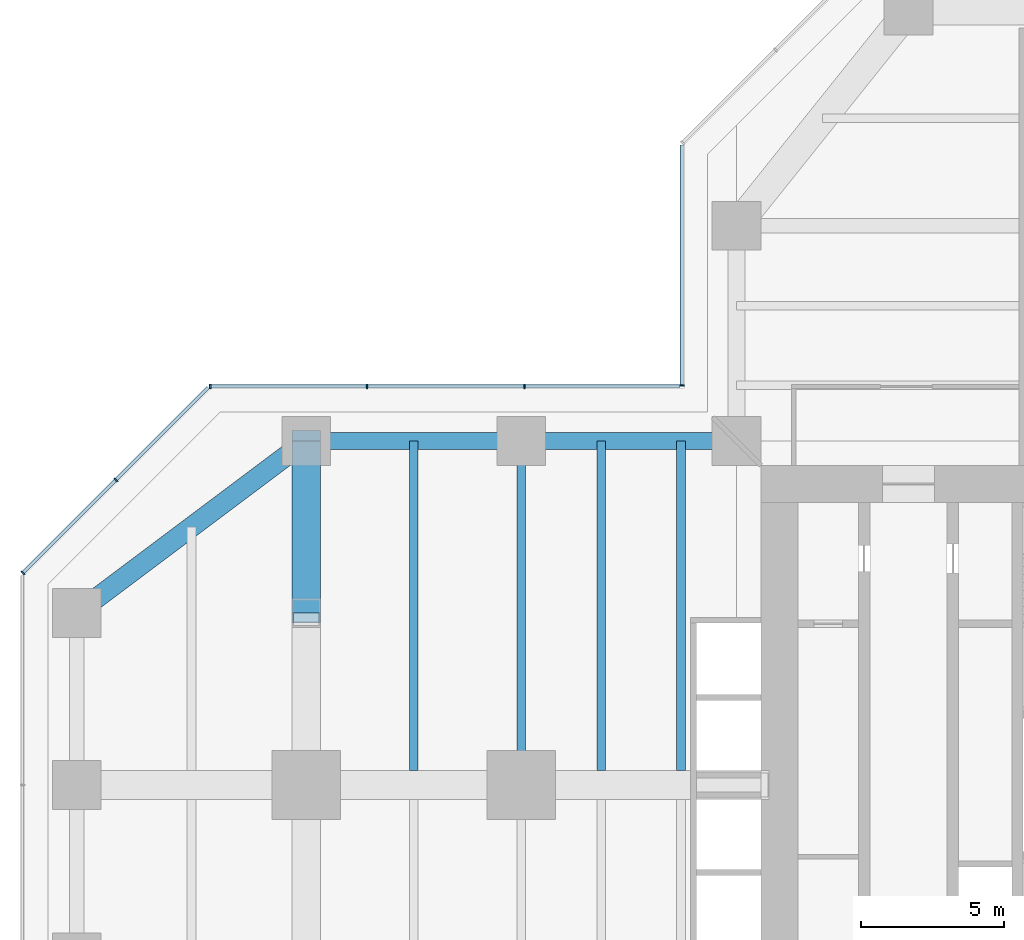
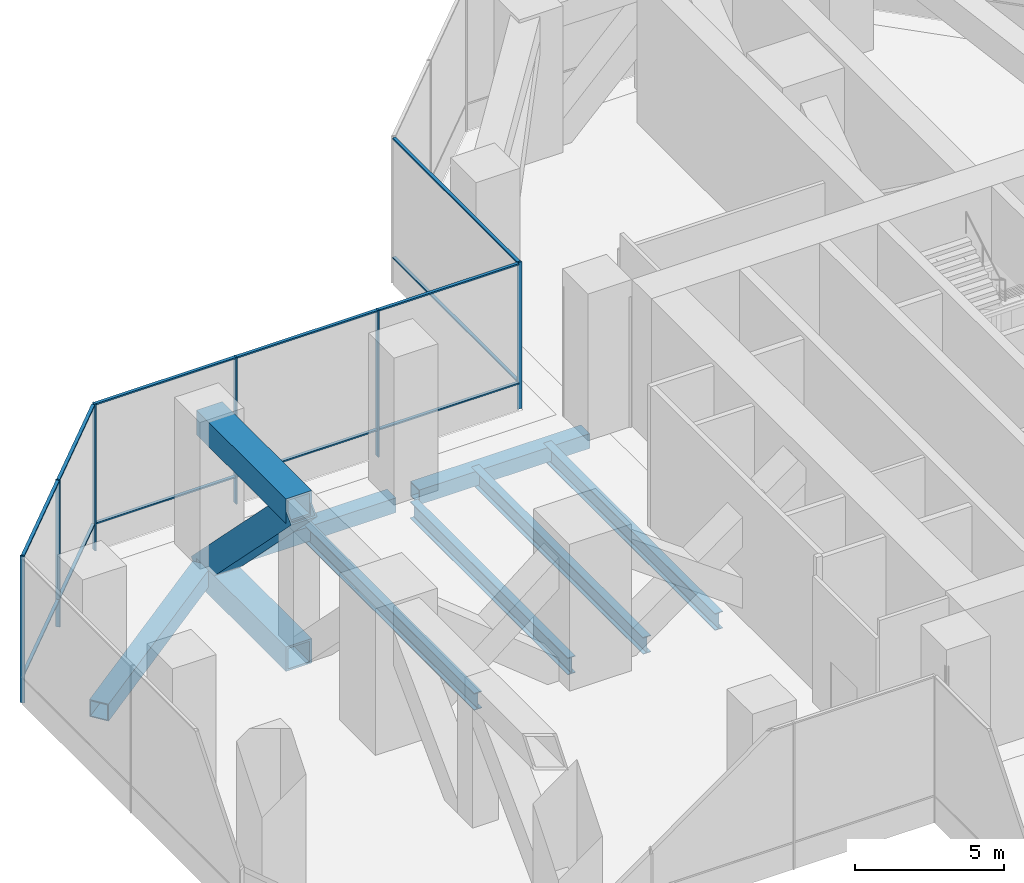
# One storey, part 7 of 19: 21 members, 7 beams, 3 elements without a shape of their own.
"""IFC4 building model written with IfcOpenShell, lengths in metres."""

from ifc_helpers import new_model, si_unit, direction, frame, origin, origin_2d, place, context, subcontext, project, spatial, rectangle, hollow_rectangle, i_section, extrude, material, material_profile, profile_set, type_object, element, aggregate, save


model = new_model("IFC4")

# Units and contexts
model_context = context("Model", 3, precision=1e-05, world=origin(), true_north=direction((0.0, 1.0)))
body_context = subcontext(model_context, "Body", "Model", "MODEL_VIEW")
ifc_project = project(units=[si_unit("LENGTHUNIT", "METRE"), si_unit("AREAUNIT", "SQUARE_METRE"), si_unit("VOLUMEUNIT", "CUBIC_METRE"), si_unit("PLANEANGLEUNIT", "RADIAN"), si_unit("MASSUNIT", "GRAM", prefix="KILO")], contexts=[model_context])

# Site, building, storey
site_placement = place(None, origin())
site = spatial("IfcSite", under=ifc_project, at=site_placement, CompositionType="ELEMENT")
building_placement = place(site_placement, origin())
building = spatial("IfcBuilding", under=site, at=building_placement, Name="Mizan Broadcast Tower", CompositionType="ELEMENT")
storey_placement = place(building_placement, frame((0.0, 0.0, 198.89990234375)))
storey = spatial("IfcBuildingStorey", under=building, at=storey_placement, Name="L46", CompositionType="ELEMENT", Elevation=198.89990234375)

# Members
ifc_material_1 = material(Name="Steel S460", Category="steel")
ifc_material_profile_1 = material_profile(ifc_material_1, hollow_rectangle(XDim=1.0, YDim=1.0, WallThickness=0.080078125, at=origin_2d()), Name="BOX 1000x1000x80")
ifc_profile_set_1 = profile_set([ifc_material_profile_1], Name="Steel S460")
member_type_1 = type_object("IfcMemberType", Name="BELT TRUSS BT3 CHORD BOX 1000x1000x80", PredefinedType="CHORD", material=ifc_profile_set_1)
for number, where, z_axis, x_axis, name in (
    (1, (-27.0, 12.0, -0.679931640625), (0.0, -1.0, 0.0), (1.0, 0.0, 0.0), "Belt truss BT3-W27 bottom chord 1"),
    (2, (-27.0, 12.0, 5.3701171875), (0.0, -1.0, 0.0), (1.0, 0.0, 0.0), "Belt truss BT3-W27 top chord 1"),
):
    element("IfcMember", number, at=place(storey_placement, frame(where, z_axis=z_axis, x_axis=x_axis)), inside=storey, type_object=member_type_1, Name=name, PredefinedType="CHORD", context=body_context, shape_type="SweptSolid", body=[
        extrude(hollow_rectangle(XDim=1.0, YDim=1.0, WallThickness=0.080078125, at=origin_2d()), origin(), (0.0, 0.0, 1.0), 6.0),
    ])
ifc_material_2 = material(Name="Steel S460", Category="steel")
ifc_material_profile_2 = material_profile(ifc_material_2, hollow_rectangle(XDim=1.0, YDim=1.0, WallThickness=0.06005859375, at=origin_2d()), Name="BOX 1000x1000x60")
ifc_profile_set_2 = profile_set([ifc_material_profile_2], Name="Steel S460")
member_type_2 = type_object("IfcMemberType", Name="BELT TRUSS BT3 DIAGONAL BOX 1000x1000x60", PredefinedType="BRACE", material=ifc_profile_set_2)
member_1_placement = place(storey_placement, frame((-27.0, 12.0, -0.679931640625), z_axis=(0.0, -0.704163801085, 0.710037563261), x_axis=(1.0, 0.0, 0.0)))
element("IfcMember", 3, at=member_1_placement, inside=storey, type_object=member_type_2, Name="Belt truss BT3-W27 diagonal 1", PredefinedType="BRACE", context=body_context, shape_type="SweptSolid", body=[
    extrude(hollow_rectangle(XDim=1.0, YDim=1.0, WallThickness=0.06005859375, at=origin_2d()), origin(), (0.0, 0.0, 1.0), 8.520751953125),
])

# Beams
ifc_material_3 = material(Name="Steel S355", Category="steel")
ifc_material_profile_3 = material_profile(ifc_material_3, hollow_rectangle(XDim=0.60009765625, YDim=0.60009765625, WallThickness=0.0400390625, at=origin_2d()), Name="BOX 600x600x40")
ifc_profile_set_3 = profile_set([ifc_material_profile_3], Name="Steel S355")
beam_type_1 = type_object("IfcBeamType", Name="EDGE BEAM BOX 600x600x40", PredefinedType="SPANDREL", material=ifc_profile_set_3)
for number, where, z_axis, x_axis, name in (
    (4, (-12.449951171875, 12.0, -0.47998046875), (-1.0, 0.0, 0.0), (0.0, -1.0, 0.0), "Edge beam BOX 600x600x40 L46 west arm"),
    (5, (-19.949951171875, 12.0, -0.47998046875), (-1.0, 0.0, 0.0), (0.0, -1.0, 0.0), "Edge beam BOX 600x600x40 L46 west arm"),
):
    element("IfcBeam", number, at=place(storey_placement, frame(where, z_axis=z_axis, x_axis=x_axis)), inside=storey, type_object=beam_type_1, Name=name, PredefinedType="SPANDREL", context=body_context, shape_type="SweptSolid", body=[
        extrude(hollow_rectangle(XDim=0.60009765625, YDim=0.60009765625, WallThickness=0.0400390625, at=origin_2d()), origin(), (0.0, 0.0, 1.0), 6.60009765625),
    ])
ifc_material_4 = material(Name="Steel S355", Category="steel")
ifc_material_profile_4 = material_profile(ifc_material_4, hollow_rectangle(XDim=0.699951171875, YDim=0.699951171875, WallThickness=0.0400390625, at=origin_2d()), Name="BOX 700x700x40")
ifc_profile_set_4 = profile_set([ifc_material_profile_4], Name="Steel S355")
beam_type_2 = type_object("IfcBeamType", Name="EDGE BEAM BOX 700x700x40", PredefinedType="SPANDREL", material=ifc_profile_set_4)
beam_1_placement = place(storey_placement, frame((-27.47998046875, 11.639892578125, -0.52978515625), z_axis=(-0.800013316712, -0.599982243973, 0.0), x_axis=(0.599982243973, -0.800013316712, 0.0)))
element("IfcBeam", 6, at=beam_1_placement, inside=storey, type_object=beam_type_2, Name="Edge beam BOX 700x700x40 L46 west arm", PredefinedType="SPANDREL", context=body_context, shape_type="SweptSolid", body=[
    extrude(hollow_rectangle(XDim=0.699951171875, YDim=0.699951171875, WallThickness=0.0400390625, at=origin_2d()), origin(), (0.0, 0.0, 1.0), 8.7998046875),
])
ifc_material_5 = material(Name="Steel S355", Category="steel")
ifc_material_profile_5 = material_profile(ifc_material_5, i_section(OverallWidth=0.300048828125, OverallDepth=0.68994140625, WebThickness=0.014404296875, FlangeThickness=0.027099609375, FilletRadius=0.027099609375, at=origin_2d()), Name="HEA 700")
ifc_profile_set_5 = profile_set([ifc_material_profile_5], Name="Steel S355")
beam_type_3 = type_object("IfcBeamType", Name="GIRDER HEA 700", PredefinedType="BEAM", material=ifc_profile_set_5)
beam_2_placement = place(storey_placement, frame((-19.5, 11.280029296875, -0.52490234375), z_axis=(0.0, -1.0, 0.0), x_axis=(1.0, 0.0, 0.0)))
element("IfcBeam", 7, at=beam_2_placement, inside=storey, type_object=beam_type_3, Name="Girder HEA 700 L46 west arm", PredefinedType="BEAM", context=body_context, shape_type="SweptSolid", body=[
    extrude(i_section(OverallWidth=0.300048828125, OverallDepth=0.68994140625, WebThickness=0.014404296875, FlangeThickness=0.027099609375, FilletRadius=0.027099609375, at=origin_2d()), origin(), (0.0, 0.0, 1.0), 10.56005859375),
])

# Curtain wall, member
ifc_material_6 = material(Name="Aluminium framed glazing", Category="aluminium")
curtain_wall_type = type_object("IfcCurtainWallType", Name="PLANT LOUVRE", PredefinedType="USERDEFINED", material=ifc_material_6)
curtain_wall_1_placement = place(storey_placement, origin())
curtain_wall_1 = element("IfcCurtainWall", 8, at=curtain_wall_1_placement, inside=storey, type_object=curtain_wall_type, Name="Plant louvre L46 N side", ObjectType="PLANT LOUVRE", PredefinedType="USERDEFINED")
ifc_material_7 = material(Name="Aluminium, pale anodised", Category="aluminium")
ifc_material_profile_6 = material_profile(ifc_material_7, rectangle(XDim=0.159912109375, YDim=0.06005859375, at=origin_2d()), Name="MULLION 160x60")
ifc_profile_set_6 = profile_set([ifc_material_profile_6], Name="Aluminium, pale anodised")
member_type_3 = type_object("IfcMemberType", Name="INNER SKIN MULLION 60x160", PredefinedType="MULLION", material=ifc_profile_set_6)
member_2_placement = place(storey_placement, frame((-13.89990234375, 13.929931640625, 0.0), z_axis=(0.0, 0.0, 1.0), x_axis=(1.0, 0.0, 0.0)))
member_2 = element("IfcMember", 9, at=member_2_placement, type_object=member_type_3, Name="Plant louvre L46 N side mullion 2", PredefinedType="MULLION", context=body_context, shape_type="SweptSolid", body=[
    extrude(rectangle(XDim=0.159912109375, YDim=0.06005859375, at=origin_2d()), origin(), (0.0, 0.0, 1.0), 6.0),
])

# Curtain wall, members
curtain_wall_2_placement = place(storey_placement, origin())
curtain_wall_2 = element("IfcCurtainWall", 10, at=curtain_wall_2_placement, inside=storey, type_object=curtain_wall_type, Name="Plant louvre L46 W side", ObjectType="PLANT LOUVRE", PredefinedType="USERDEFINED")
member_3_placement = place(storey_placement, frame((-19.390869140625, 13.89990234375, 0.0), z_axis=(0.0, 0.0, 1.0), x_axis=(0.0, -1.0, 0.0)))
member_3 = element("IfcMember", 11, at=member_3_placement, type_object=member_type_3, Name="Plant louvre L46 W side mullion 2", PredefinedType="MULLION", context=body_context, shape_type="SweptSolid", body=[
    extrude(rectangle(XDim=0.159912109375, YDim=0.06005859375, at=origin_2d()), origin(), (0.0, 0.0, 1.0), 6.0),
])
member_4_placement = place(storey_placement, frame((-24.8818359375, 13.89990234375, 0.0), z_axis=(0.0, 0.0, 1.0), x_axis=(0.0, -1.0, 0.0)))
member_4 = element("IfcMember", 12, at=member_4_placement, type_object=member_type_3, Name="Plant louvre L46 W side mullion 3", PredefinedType="MULLION", context=body_context, shape_type="SweptSolid", body=[
    extrude(rectangle(XDim=0.159912109375, YDim=0.06005859375, at=origin_2d()), origin(), (0.0, 0.0, 1.0), 6.0),
])
member_5_placement = place(storey_placement, frame((-30.3427734375, 13.89990234375, 0.0), z_axis=(0.0, 0.0, 1.0), x_axis=(0.0, -1.0, 0.0)))
member_5 = element("IfcMember", 13, at=member_5_placement, type_object=member_type_3, Name="Plant louvre L46 W side mullion 4", PredefinedType="MULLION", context=body_context, shape_type="SweptSolid", body=[
    extrude(rectangle(XDim=0.159912109375, YDim=0.06005859375, at=origin_2d()), origin(), (0.0, 0.0, 1.0), 6.0),
])

curtain_wall_3_placement = place(storey_placement, origin())
curtain_wall_3 = element("IfcCurtainWall", 14, at=curtain_wall_3_placement, inside=storey, type_object=curtain_wall_type, Name="Plant louvre L46 W chamfer", ObjectType="PLANT LOUVRE", PredefinedType="USERDEFINED")
member_6_placement = place(storey_placement, frame((-33.636474609375, 10.636474609375, 0.0), z_axis=(0.0, 0.0, 1.0), x_axis=(0.707106781187, -0.707106781187, 0.0)))
member_6 = element("IfcMember", 15, at=member_6_placement, type_object=member_type_3, Name="Plant louvre L46 W chamfer mullion 2", PredefinedType="MULLION", context=body_context, shape_type="SweptSolid", body=[
    extrude(rectangle(XDim=0.159912109375, YDim=0.06005859375, at=origin_2d()), origin(), (0.0, 0.0, 1.0), 6.0),
])
member_7_placement = place(storey_placement, frame((-36.87890625, 7.39404296875, 0.0), z_axis=(0.0, 0.0, 1.0), x_axis=(0.707106781187, -0.707106781187, 0.0)))
member_7 = element("IfcMember", 16, at=member_7_placement, type_object=member_type_3, Name="Plant louvre L46 W chamfer mullion 3", PredefinedType="MULLION", context=body_context, shape_type="SweptSolid", body=[
    extrude(rectangle(XDim=0.159912109375, YDim=0.06005859375, at=origin_2d()), origin(), (0.0, 0.0, 1.0), 6.0),
])

# Member
ifc_material_8 = material(Name="Aluminium, pale anodised", Category="aluminium")
ifc_material_profile_7 = material_profile(ifc_material_8, rectangle(XDim=0.1201171875, YDim=0.06005859375, at=origin_2d()), Name="TRANSOM 120x60")
ifc_profile_set_7 = profile_set([ifc_material_profile_7], Name="Aluminium, pale anodised")
member_type_4 = type_object("IfcMemberType", Name="INNER SKIN TRANSOM 60x120", PredefinedType="USERDEFINED", material=ifc_profile_set_7)
member_8_placement = place(storey_placement, frame((-13.89990234375, 22.312744140625, 1.10009765625), z_axis=(0.0, -1.0, 0.0), x_axis=(1.0, 0.0, 0.0)))
member_8 = element("IfcMember", 17, at=member_8_placement, type_object=member_type_4, Name="Plant louvre L46 N side transom 1.1", ObjectType="TRANSOM", PredefinedType="USERDEFINED", context=body_context, shape_type="SweptSolid", body=[
    extrude(rectangle(XDim=0.1201171875, YDim=0.06005859375, at=origin_2d()), origin(), (0.0, 0.0, 1.0), 8.352783203125),
])

member_9_placement = place(storey_placement, frame((-13.89990234375, 22.312744140625, 5.97021484375), z_axis=(0.0, -1.0, 0.0), x_axis=(1.0, 0.0, 0.0)))
member_9 = element("IfcMember", 18, at=member_9_placement, type_object=member_type_4, Name="Plant louvre L46 N side transom 1.2", ObjectType="TRANSOM", PredefinedType="USERDEFINED", context=body_context, shape_type="SweptSolid", body=[
    extrude(rectangle(XDim=0.1201171875, YDim=0.06005859375, at=origin_2d()), origin(), (0.0, 0.0, 1.0), 8.352783203125),
])

aggregate(curtain_wall_1, [member_2, member_8, member_9])

member_10_placement = place(storey_placement, frame((-13.9599609375, 13.89990234375, 1.10009765625), z_axis=(-1.0, 0.0, 0.0), x_axis=(0.0, -1.0, 0.0)))
member_10 = element("IfcMember", 19, at=member_10_placement, type_object=member_type_4, Name="Plant louvre L46 W side transom 1.1", ObjectType="TRANSOM", PredefinedType="USERDEFINED", context=body_context, shape_type="SweptSolid", body=[
    extrude(rectangle(XDim=0.1201171875, YDim=0.06005859375, at=origin_2d()), origin(), (0.0, 0.0, 1.0), 5.40087890625),
])

member_11_placement = place(storey_placement, frame((-13.9599609375, 13.89990234375, 5.97021484375), z_axis=(-1.0, 0.0, 0.0), x_axis=(0.0, -1.0, 0.0)))
member_11 = element("IfcMember", 20, at=member_11_placement, type_object=member_type_4, Name="Plant louvre L46 W side transom 1.2", ObjectType="TRANSOM", PredefinedType="USERDEFINED", context=body_context, shape_type="SweptSolid", body=[
    extrude(rectangle(XDim=0.1201171875, YDim=0.06005859375, at=origin_2d()), origin(), (0.0, 0.0, 1.0), 5.40087890625),
])

member_12_placement = place(storey_placement, frame((-19.4208984375, 13.89990234375, 1.10009765625), z_axis=(-1.0, 0.0, 0.0), x_axis=(0.0, -1.0, 0.0)))
member_12 = element("IfcMember", 21, at=member_12_placement, type_object=member_type_4, Name="Plant louvre L46 W side transom 2.1", ObjectType="TRANSOM", PredefinedType="USERDEFINED", context=body_context, shape_type="SweptSolid", body=[
    extrude(rectangle(XDim=0.1201171875, YDim=0.06005859375, at=origin_2d()), origin(), (0.0, 0.0, 1.0), 5.430908203125),
])

member_13_placement = place(storey_placement, frame((-19.4208984375, 13.89990234375, 5.97021484375), z_axis=(-1.0, 0.0, 0.0), x_axis=(0.0, -1.0, 0.0)))
member_13 = element("IfcMember", 22, at=member_13_placement, type_object=member_type_4, Name="Plant louvre L46 W side transom 2.2", ObjectType="TRANSOM", PredefinedType="USERDEFINED", context=body_context, shape_type="SweptSolid", body=[
    extrude(rectangle(XDim=0.1201171875, YDim=0.06005859375, at=origin_2d()), origin(), (0.0, 0.0, 1.0), 5.430908203125),
])

member_14_placement = place(storey_placement, frame((-24.911865234375, 13.89990234375, 1.10009765625), z_axis=(-1.0, 0.0, 0.0), x_axis=(0.0, -1.0, 0.0)))
member_14 = element("IfcMember", 23, at=member_14_placement, type_object=member_type_4, Name="Plant louvre L46 W side transom 3.1", ObjectType="TRANSOM", PredefinedType="USERDEFINED", context=body_context, shape_type="SweptSolid", body=[
    extrude(rectangle(XDim=0.1201171875, YDim=0.06005859375, at=origin_2d()), origin(), (0.0, 0.0, 1.0), 5.40087890625),
])

member_15_placement = place(storey_placement, frame((-24.911865234375, 13.89990234375, 5.97021484375), z_axis=(-1.0, 0.0, 0.0), x_axis=(0.0, -1.0, 0.0)))
member_15 = element("IfcMember", 24, at=member_15_placement, type_object=member_type_4, Name="Plant louvre L46 W side transom 3.2", ObjectType="TRANSOM", PredefinedType="USERDEFINED", context=body_context, shape_type="SweptSolid", body=[
    extrude(rectangle(XDim=0.1201171875, YDim=0.06005859375, at=origin_2d()), origin(), (0.0, 0.0, 1.0), 5.40087890625),
])

aggregate(curtain_wall_2, [member_3, member_4, member_5, member_10, member_11, member_12, member_13, member_14, member_15])

member_16_placement = place(storey_placement, frame((-30.415283203125, 13.857666015625, 1.10009765625), z_axis=(-0.707106781187, -0.707106781187, 0.0), x_axis=(0.707106781187, -0.707106781187, 0.0)))
member_16 = element("IfcMember", 25, at=member_16_placement, type_object=member_type_4, Name="Plant louvre L46 W chamfer transom 1.1", ObjectType="TRANSOM", PredefinedType="USERDEFINED", context=body_context, shape_type="SweptSolid", body=[
    extrude(rectangle(XDim=0.1201171875, YDim=0.06005859375, at=origin_2d()), origin(), (0.0, 0.0, 1.0), 4.525390625),
])

member_17_placement = place(storey_placement, frame((-30.415283203125, 13.857666015625, 5.97021484375), z_axis=(-0.707106781187, -0.707106781187, 0.0), x_axis=(0.707106781187, -0.707106781187, 0.0)))
member_17 = element("IfcMember", 26, at=member_17_placement, type_object=member_type_4, Name="Plant louvre L46 W chamfer transom 1.2", ObjectType="TRANSOM", PredefinedType="USERDEFINED", context=body_context, shape_type="SweptSolid", body=[
    extrude(rectangle(XDim=0.1201171875, YDim=0.06005859375, at=origin_2d()), origin(), (0.0, 0.0, 1.0), 4.525390625),
])

member_18_placement = place(storey_placement, frame((-33.65771484375, 10.615234375, 1.10009765625), z_axis=(-0.707106781187, -0.707106781187, 0.0), x_axis=(0.707106781187, -0.707106781187, 0.0)))
member_18 = element("IfcMember", 27, at=member_18_placement, type_object=member_type_4, Name="Plant louvre L46 W chamfer transom 2.1", ObjectType="TRANSOM", PredefinedType="USERDEFINED", context=body_context, shape_type="SweptSolid", body=[
    extrude(rectangle(XDim=0.1201171875, YDim=0.06005859375, at=origin_2d()), origin(), (0.0, 0.0, 1.0), 4.525390625),
])

member_19_placement = place(storey_placement, frame((-33.65771484375, 10.615234375, 5.97021484375), z_axis=(-0.707106781187, -0.707106781187, 0.0), x_axis=(0.707106781187, -0.707106781187, 0.0)))
member_19 = element("IfcMember", 28, at=member_19_placement, type_object=member_type_4, Name="Plant louvre L46 W chamfer transom 2.2", ObjectType="TRANSOM", PredefinedType="USERDEFINED", context=body_context, shape_type="SweptSolid", body=[
    extrude(rectangle(XDim=0.1201171875, YDim=0.06005859375, at=origin_2d()), origin(), (0.0, 0.0, 1.0), 4.525390625),
])

aggregate(curtain_wall_3, [member_6, member_7, member_16, member_17, member_18, member_19])

# Beams
ifc_material_9 = material(Name="Steel S355", Category="steel")
ifc_material_profile_8 = material_profile(ifc_material_9, i_section(OverallWidth=0.300048828125, OverallDepth=0.68994140625, WebThickness=0.014404296875, FlangeThickness=0.027099609375, FilletRadius=0.027099609375, at=origin_2d()), Name="HEA 700")
ifc_profile_set_8 = profile_set([ifc_material_profile_8], Name="Steel S355")
beam_type_4 = type_object("IfcBeamType", Name="SECONDARY BEAM HEA 700", PredefinedType="JOIST", material=ifc_profile_set_8)
for number, where, z_axis, x_axis, name in (
    (29, (-13.933349609375, 12.0, -0.52490234375), (0.0, -1.0, 0.0), (1.0, 0.0, 0.0), "Secondary beam HEA 700 L46 west arm"),
    (30, (-16.716552734375, 12.0, -0.52490234375), (0.0, -1.0, 0.0), (1.0, 0.0, 0.0), "Secondary beam HEA 700 L46 west arm"),
    (31, (-23.25, 12.0, -0.52490234375), (0.0, -1.0, 0.0), (1.0, 0.0, 0.0), "Secondary beam HEA 700 L46 west arm"),
):
    element("IfcBeam", number, at=place(storey_placement, frame(where, z_axis=z_axis, x_axis=x_axis)), inside=storey, type_object=beam_type_4, Name=name, PredefinedType="JOIST", context=body_context, shape_type="SweptSolid", body=[
        extrude(i_section(OverallWidth=0.300048828125, OverallDepth=0.68994140625, WebThickness=0.014404296875, FlangeThickness=0.027099609375, FilletRadius=0.027099609375, at=origin_2d()), origin(), (0.0, 0.0, 1.0), 11.5),
    ])

save(model, "model.ifc")
